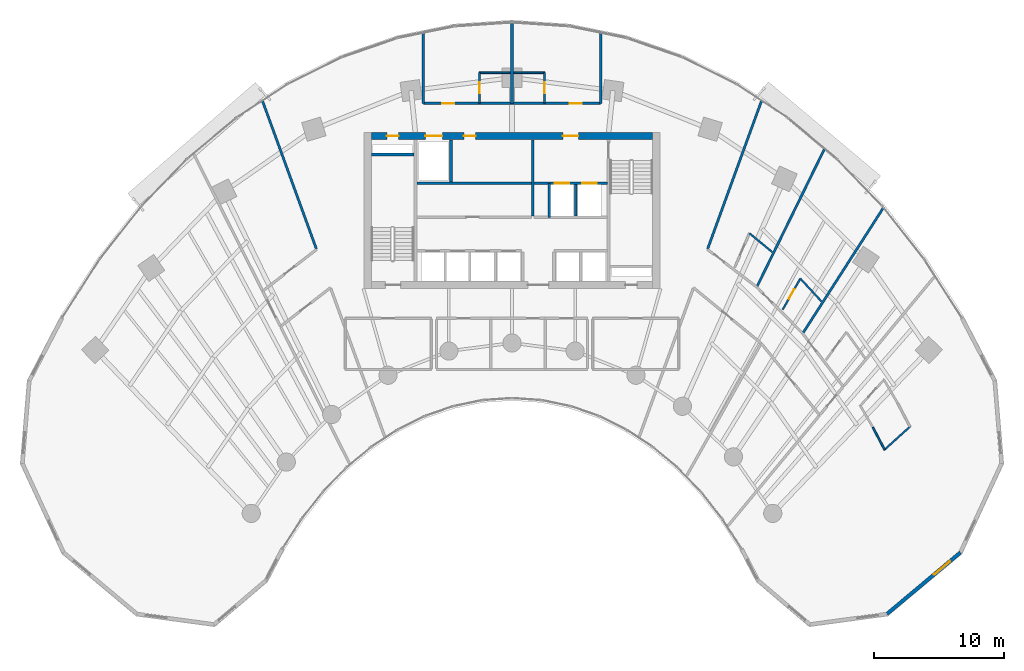
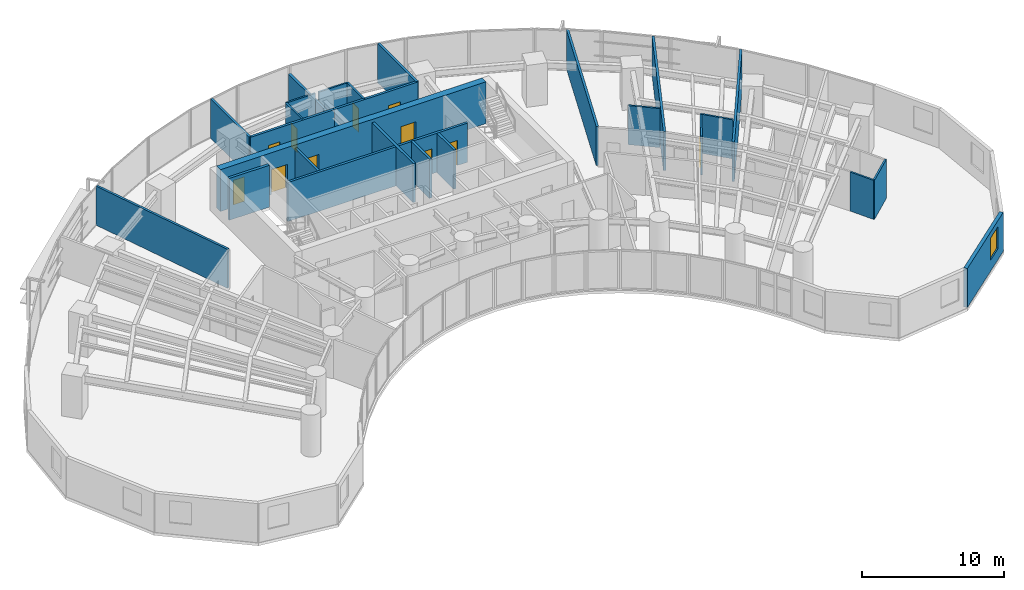
# One storey, part 13 of 17: 27 walls, 11 doors, 1 window, 12 openings.
"""IFC4 building model written with IfcOpenShell, lengths in metres."""

from ifc_helpers import new_model, si_unit, direction, frame, frame_2d, origin, place, context, subcontext, project, spatial, rectangle, extrude, source, transform, mapped, material, layer, layer_set, type_object, type_shapes, element, fill, save


model = new_model("IFC4")

# Units and contexts
model_context = context("Model", 3, precision=1e-05, world=origin(), true_north=direction((0.0, 1.0)))
body_context = subcontext(model_context, "Body", "Model", "MODEL_VIEW")
ifc_project = project(units=[si_unit("LENGTHUNIT", "METRE"), si_unit("AREAUNIT", "SQUARE_METRE"), si_unit("VOLUMEUNIT", "CUBIC_METRE"), si_unit("PLANEANGLEUNIT", "RADIAN"), si_unit("MASSUNIT", "GRAM", prefix="KILO")], contexts=[model_context])

# Site, building, storey
site_placement = place(None, origin())
site = spatial("IfcSite", under=ifc_project, at=site_placement, CompositionType="ELEMENT")
building_placement = place(site_placement, origin())
building = spatial("IfcBuilding", under=site, at=building_placement, Name="Breltana Convention Tower", CompositionType="ELEMENT")
storey_placement = place(building_placement, frame((0.0, 0.0, 64.199951171875)))
storey = spatial("IfcBuildingStorey", under=building, at=storey_placement, Name="L14", CompositionType="ELEMENT", Elevation=64.199951171875)

# Wall, openings, doors
ifc_material_1 = material(Name="Concrete C60/75", Category="concrete")
ifc_layer_1 = layer(ifc_material_1, 0.550048828125, Name="Concrete C60/75")
ifc_layer_set_1 = layer_set([ifc_layer_1], Name="Concrete C60/75")
wall_type_1 = type_object("IfcWallType", Name="SW-CORE-550", PredefinedType="SHEAR", material=ifc_layer_set_1)
shared_shape_1 = source(origin(), body_context, "Body", "SweptSolid", [
    extrude(rectangle(XDim=21.60009765625, YDim=0.550048828125, at=frame_2d((10.800048828125, 0.0))), origin(), (0.0, 0.0, 1.0), 3.60009765625),
])
wall_1_placement = place(storey_placement, frame((37.199951171875, 71.925048828125, 0.0), z_axis=(0.0, 0.0, 1.0), x_axis=(1.0, 0.0, 0.0)))
wall_1 = element("IfcWall", 1, at=wall_1_placement, inside=storey, type_object=wall_type_1, Name="L14 North Core Shear Wall", PredefinedType="SHEAR", context=body_context, shape_type="MappedRepresentation", body=[
    mapped(shared_shape_1, transform((0.0, 0.0, 0.0), scale=1.0)),
])
opening_1_placement = place(wall_1_placement, frame((1.199951171875, 0.0, 0.0)))
opening_1 = element("IfcOpeningElement", 2, at=opening_1_placement, cuts=wall_1, Name="Opening D-18", PredefinedType="OPENING", context=body_context, shape_type="SweptSolid", body=[
    extrude(rectangle(XDim=0.89990234375, YDim=2.10009765625, at=frame_2d((0.449951171875, 1.050048828125))), frame((0.0, 0.28515625, 0.0), z_axis=(0.0, -1.0, 0.0), x_axis=(1.0, 0.0, 0.0)), (0.0, 0.0, 1.0), 0.570068359375),
])
opening_2_placement = place(wall_1_placement, frame((14.699951171875, 0.0, 0.0)))
opening_2 = element("IfcOpeningElement", 3, at=opening_2_placement, cuts=wall_1, Name="Opening D-09", PredefinedType="OPENING", context=body_context, shape_type="SweptSolid", body=[
    extrude(rectangle(XDim=1.199951171875, YDim=2.14990234375, at=frame_2d((0.60009765625, 1.074951171875))), frame((0.0, 0.28515625, 0.0), z_axis=(0.0, -1.0, 0.0), x_axis=(1.0, 0.0, 0.0)), (0.0, 0.0, 1.0), 0.570068359375),
])
opening_3_placement = place(wall_1_placement, frame((4.14990234375, 0.0, 0.0)))
opening_3 = element("IfcOpeningElement", 4, at=opening_3_placement, cuts=wall_1, Name="Opening LD-01", PredefinedType="OPENING", context=body_context, shape_type="SweptSolid", body=[
    extrude(rectangle(XDim=1.300048828125, YDim=2.14990234375, at=frame_2d((0.64990234375, 1.074951171875))), frame((0.0, 0.28515625, 0.0), z_axis=(0.0, -1.0, 0.0), x_axis=(1.0, 0.0, 0.0)), (0.0, 0.0, 1.0), 0.570068359375),
])
opening_4_placement = place(wall_1_placement, frame((7.10009765625, 0.0, 0.0)))
opening_4 = element("IfcOpeningElement", 5, at=opening_4_placement, cuts=wall_1, Name="Opening D-18", PredefinedType="OPENING", context=body_context, shape_type="SweptSolid", body=[
    extrude(rectangle(XDim=0.89990234375, YDim=2.10009765625, at=frame_2d((0.449951171875, 1.050048828125))), frame((0.0, 0.28515625, 0.0), z_axis=(0.0, -1.0, 0.0), x_axis=(1.0, 0.0, 0.0)), (0.0, 0.0, 1.0), 0.570068359375),
])
ifc_material_2 = material(Name="Steel Riser Fire Door", Category="steel")
door_type_1 = type_object("IfcDoorType", Name="DR-FD60-900", OperationType="NOTDEFINED", PredefinedType="DOOR", material=ifc_material_2)
shared_shape_2 = source(origin(), body_context, "Body", "SweptSolid", [
    extrude(rectangle(XDim=0.89990234375, YDim=2.10009765625, at=frame_2d((0.449951171875, 1.050048828125))), frame((0.0, 0.02490234375, 0.0), z_axis=(0.0, -1.0, 0.0), x_axis=(1.0, 0.0, 0.0)), (0.0, 0.0, 1.0), 0.050048828125),
])
type_shapes(door_type_1, [shared_shape_2])
door_1_placement = place(opening_1_placement, origin())
door_1 = element("IfcDoor", 6, at=door_1_placement, inside=storey, type_object=door_type_1, Name="L14 Core Riser Access Door D-L14-RS1", OperationType="SINGLE_SWING_LEFT", OverallHeight=2.10009765625, OverallWidth=0.89990234375, PredefinedType="DOOR", context=body_context, shape_type="MappedRepresentation", body=[
    mapped(shared_shape_2, transform((0.0, 0.0, 0.0), scale=1.0)),
])
fill(opening_1, door_1)
door_2_placement = place(opening_4_placement, origin())
door_2 = element("IfcDoor", 7, at=door_2_placement, inside=storey, type_object=door_type_1, Name="L14 interior door D-L14-CRA1", OperationType="SINGLE_SWING_RIGHT", OverallHeight=2.10009765625, OverallWidth=0.89990234375, PredefinedType="DOOR", context=body_context, shape_type="MappedRepresentation", body=[
    mapped(shared_shape_2, transform((0.0, 0.0, 0.0), scale=1.0)),
])
fill(opening_4, door_2)
ifc_material_3 = material(Name="Steel Fire Lobby Door", Category="steel")
door_type_2 = type_object("IfcDoorType", Name="DR-FD120-1200", OperationType="NOTDEFINED", PredefinedType="DOOR", material=ifc_material_3)
shared_shape_3 = source(origin(), body_context, "Body", "SweptSolid", [
    extrude(rectangle(XDim=1.199951171875, YDim=2.14990234375, at=frame_2d((0.60009765625, 1.074951171875))), frame((0.0, 0.02490234375, 0.0), z_axis=(0.0, -1.0, 0.0), x_axis=(1.0, 0.0, 0.0)), (0.0, 0.0, 1.0), 0.050048828125),
])
type_shapes(door_type_2, [shared_shape_3])
door_3_placement = place(opening_2_placement, origin())
door_3 = element("IfcDoor", 8, at=door_3_placement, inside=storey, type_object=door_type_2, Name="L14 interior door D-L14-FFL-N", OperationType="SINGLE_SWING_RIGHT", OverallHeight=2.14990234375, OverallWidth=1.199951171875, PredefinedType="DOOR", context=body_context, shape_type="MappedRepresentation", body=[
    mapped(shared_shape_3, transform((0.0, 0.0, 0.0), scale=1.0)),
])
fill(opening_2, door_3)
ifc_material_4 = material(Name="Stainless Steel Brushed", Category="steel")
door_type_3 = type_object("IfcDoorType", Name="DR-LD-SRV-1300", OperationType="DOUBLE_DOOR_SLIDING", PredefinedType="DOOR", material=ifc_material_4)
shared_shape_4 = source(origin(), body_context, "Body", "SweptSolid", [
    extrude(rectangle(XDim=1.300048828125, YDim=2.14990234375, at=frame_2d((0.64990234375, 1.074951171875))), frame((0.0, 0.02490234375, 0.0), z_axis=(0.0, -1.0, 0.0), x_axis=(1.0, 0.0, 0.0)), (0.0, 0.0, 1.0), 0.050048828125),
])
type_shapes(door_type_3, [shared_shape_4])
door_4_placement = place(opening_3_placement, origin())
door_4 = element("IfcDoor", 9, at=door_4_placement, inside=storey, type_object=door_type_3, Name="L14 Lift Landing Door D-L14-LD-SV1", OperationType="DOUBLE_DOOR_SLIDING", OverallHeight=2.14990234375, OverallWidth=1.300048828125, PredefinedType="DOOR", context=body_context, shape_type="MappedRepresentation", body=[
    mapped(shared_shape_4, transform((0.0, 0.0, 0.0), scale=1.0)),
])
fill(opening_3, door_4)

# Wall
ifc_material_5 = material(Name="Concrete C50/60", Category="concrete")
ifc_layer_2 = layer(ifc_material_5, 0.39990234375, Name="Concrete C50/60")
ifc_layer_set_2 = layer_set([ifc_layer_2], Name="Concrete C50/60")
wall_type_2 = type_object("IfcWallType", Name="SW-CORE-400", PredefinedType="SHEAR", material=ifc_layer_set_2)
shared_shape_5 = source(origin(), body_context, "Body", "SweptSolid", [
    extrude(rectangle(XDim=3.27001953125, YDim=0.219970703125, at=frame_2d((1.635009765625, 0.0))), origin(), (0.0, 0.0, 1.0), 3.60009765625),
])
wall_2_placement = place(storey_placement, frame((37.199951171875, 70.510009765625, 0.0), z_axis=(0.0, 0.0, 1.0), x_axis=(1.0, 0.0, 0.0)))
element("IfcWall", 10, at=wall_2_placement, inside=storey, type_object=wall_type_2, Name="L14 ST-1 Stairwell North Bearing Wall", PredefinedType="SHEAR", context=body_context, shape_type="MappedRepresentation", body=[
    mapped(shared_shape_5, transform((0.0, 0.0, 0.0), scale=1.0)),
])

# Wall, opening, window
ifc_material_6 = material(Name="Limestone Buff Insulated Wall", Category="masonry")
ifc_layer_3 = layer(ifc_material_6, 0.280029296875, Name="Limestone Buff Insulated Wall")
ifc_layer_set_3 = layer_set([ifc_layer_3], Name="Limestone Buff Insulated Wall")
wall_type_3 = type_object("IfcWallType", Name="WL-EXT-NOSE-280", PredefinedType="SOLIDWALL", material=ifc_layer_set_3)
shared_shape_6 = source(origin(), body_context, "Body", "SweptSolid", [
    extrude(rectangle(XDim=7.35888671875, YDim=0.280029296875, at=frame_2d((3.679443359375, 0.0))), origin(), (0.0, 0.0, 1.0), 3.360107421875),
])
wall_3_placement = place(storey_placement, frame((82.419677734375, 39.950927734375, 0.0), z_axis=(0.0, 0.0, 1.0), x_axis=(-0.766737165543, -0.641961150675, 0.0)))
wall_3 = element("IfcWall", 11, at=wall_3_placement, inside=storey, type_object=wall_type_3, Name="L14 curved limestone nose wall E3", PredefinedType="SOLIDWALL", context=body_context, shape_type="MappedRepresentation", body=[
    mapped(shared_shape_6, transform((0.0, 0.0, 0.0), scale=1.0)),
])
opening_5_placement = place(wall_3_placement, frame((1.039794921875, 0.0, 0.949951171875)))
opening_5 = element("IfcOpeningElement", 12, at=opening_5_placement, cuts=wall_3, Name="Opening W-04", PredefinedType="OPENING", context=body_context, shape_type="SweptSolid", body=[
    extrude(rectangle(XDim=1.60009765625, YDim=1.89990234375, at=frame_2d((0.800048828125, 0.949951171875))), frame((0.0, 0.14990234375, 0.0), z_axis=(0.0, -1.0, 0.0), x_axis=(1.0, 0.0, 0.0)), (0.0, 0.0, 1.0), 0.300048828125),
])
ifc_material_7 = material(Name="Glass Low-E Insulated Window", Category="glass")
window_type = type_object("IfcWindowType", Name="WN-NOSE-1600X1900", PartitioningType="SINGLE_PANEL", PredefinedType="WINDOW", material=ifc_material_7)
shared_shape_7 = source(origin(), body_context, "Body", "SweptSolid", [
    extrude(rectangle(XDim=1.60009765625, YDim=1.89990234375, at=frame_2d((0.800048828125, 0.949951171875))), frame((0.0, 0.030029296875, 0.0), z_axis=(0.0, -1.0, 0.0), x_axis=(1.0, 0.0, 0.0)), (0.0, 0.0, 1.0), 0.06005859375),
])
type_shapes(window_type, [shared_shape_7])
window_placement = place(opening_5_placement, origin())
window = element("IfcWindow", 13, at=window_placement, inside=storey, type_object=window_type, Name="L14 nose window E3", OverallHeight=1.89990234375, OverallWidth=1.60009765625, PartitioningType="SINGLE_PANEL", PredefinedType="WINDOW", context=body_context, shape_type="MappedRepresentation", body=[
    mapped(shared_shape_7, transform((0.0, 0.0, 0.0), scale=1.0)),
])
fill(opening_5, window)

# Wall, openings, doors
ifc_material_8 = material(Name="Autoclaved Aerated Concrete Block", Category="concrete")
ifc_layer_4 = layer(ifc_material_8, 0.199951171875, Name="Autoclaved Aerated Concrete Block")
ifc_layer_set_4 = layer_set([ifc_layer_4], Name="Autoclaved Aerated Concrete Block")
wall_type_4 = type_object("IfcWallType", Name="WL-SHAFT-200", PredefinedType="SOLIDWALL", material=ifc_layer_set_4)
shared_shape_8 = source(origin(), body_context, "Body", "SweptSolid", [
    extrude(rectangle(XDim=5.6201171875, YDim=0.199951171875, at=frame_2d((2.81005859375, 0.0))), origin(), (0.0, 0.0, 1.0), 3.360107421875),
])
wall_4_placement = place(storey_placement, frame((49.699951171875, 68.300048828125, 0.0), z_axis=(0.0, 0.0, 1.0), x_axis=(1.0, 0.0, 0.0)))
wall_4 = element("IfcWall", 14, at=wall_4_placement, inside=storey, type_object=wall_type_4, Name="L14 interior partition W-L14-FFL-S", PredefinedType="SOLIDWALL", context=body_context, shape_type="MappedRepresentation", body=[
    mapped(shared_shape_8, transform((0.0, 0.0, 0.0), scale=1.0)),
])
opening_6_placement = place(wall_4_placement, frame((1.60009765625, 0.0, 0.0)))
opening_6 = element("IfcOpeningElement", 15, at=opening_6_placement, cuts=wall_4, Name="Opening LD-03", PredefinedType="OPENING", context=body_context, shape_type="SweptSolid", body=[
    extrude(rectangle(XDim=1.10009765625, YDim=2.14990234375, at=frame_2d((0.550048828125, 1.074951171875))), frame((0.0, 0.10986328125, 0.0), z_axis=(0.0, -1.0, 0.0), x_axis=(1.0, 0.0, 0.0)), (0.0, 0.0, 1.0), 0.219970703125),
])
opening_7_placement = place(wall_4_placement, frame((3.699951171875, 0.0, 0.0)))
opening_7 = element("IfcOpeningElement", 16, at=opening_7_placement, cuts=wall_4, Name="Opening LD-03", PredefinedType="OPENING", context=body_context, shape_type="SweptSolid", body=[
    extrude(rectangle(XDim=1.10009765625, YDim=2.14990234375, at=frame_2d((0.550048828125, 1.074951171875))), frame((0.0, 0.10986328125, 0.0), z_axis=(0.0, -1.0, 0.0), x_axis=(1.0, 0.0, 0.0)), (0.0, 0.0, 1.0), 0.219970703125),
])
door_type_4 = type_object("IfcDoorType", Name="DR-LD-FF-1100", OperationType="DOUBLE_DOOR_SLIDING", PredefinedType="DOOR", material=ifc_material_4)
shared_shape_9 = source(origin(), body_context, "Body", "SweptSolid", [
    extrude(rectangle(XDim=1.10009765625, YDim=2.14990234375, at=frame_2d((0.550048828125, 1.074951171875))), frame((0.0, 0.02490234375, 0.0), z_axis=(0.0, -1.0, 0.0), x_axis=(1.0, 0.0, 0.0)), (0.0, 0.0, 1.0), 0.050048828125),
])
type_shapes(door_type_4, [shared_shape_9])
door_5_placement = place(opening_6_placement, origin())
door_5 = element("IfcDoor", 17, at=door_5_placement, inside=storey, type_object=door_type_4, Name="L14 Lift Landing Door D-L14-LD-FL1", OperationType="DOUBLE_DOOR_SLIDING", OverallHeight=2.14990234375, OverallWidth=1.10009765625, PredefinedType="DOOR", context=body_context, shape_type="MappedRepresentation", body=[
    mapped(shared_shape_9, transform((0.0, 0.0, 0.0), scale=1.0)),
])
fill(opening_6, door_5)
door_6_placement = place(opening_7_placement, origin())
door_6 = element("IfcDoor", 18, at=door_6_placement, inside=storey, type_object=door_type_4, Name="L14 Lift Landing Door D-L14-LD-FL2", OperationType="DOUBLE_DOOR_SLIDING", OverallHeight=2.14990234375, OverallWidth=1.10009765625, PredefinedType="DOOR", context=body_context, shape_type="MappedRepresentation", body=[
    mapped(shared_shape_9, transform((0.0, 0.0, 0.0), scale=1.0)),
])
fill(opening_7, door_6)

# Walls
shared_shape_10 = source(origin(), body_context, "Body", "SweptSolid", [
    extrude(rectangle(XDim=5.800048828125, YDim=0.199951171875, at=frame_2d((2.89990234375, 0.0))), origin(), (0.0, 0.0, 1.0), 3.360107421875),
])
wall_5_placement = place(storey_placement, frame((49.60009765625, 65.800048828125, 0.0), z_axis=(0.0, 0.0, 1.0), x_axis=(0.0, 1.0, 0.0)))
element("IfcWall", 19, at=wall_5_placement, inside=storey, type_object=wall_type_4, Name="L14 interior partition W-L14-FFL-W", PredefinedType="SOLIDWALL", context=body_context, shape_type="MappedRepresentation", body=[
    mapped(shared_shape_10, transform((0.0, 0.0, 0.0), scale=1.0)),
])
shared_shape_11 = source(origin(), body_context, "Body", "SweptSolid", [
    extrude(rectangle(XDim=2.580078125, YDim=0.199951171875, at=frame_2d((1.2900390625, 0.0))), origin(), (0.0, 0.0, 1.0), 3.360107421875),
])
wall_6_placement = place(storey_placement, frame((50.85009765625, 65.679931640625, 0.0), z_axis=(0.0, 0.0, 1.0), x_axis=(0.0, 1.0, 0.0)))
element("IfcWall", 20, at=wall_6_placement, inside=storey, type_object=wall_type_4, Name="L14 interior partition W-L14-FL-W", PredefinedType="SOLIDWALL", context=body_context, shape_type="MappedRepresentation", body=[
    mapped(shared_shape_11, transform((0.0, 0.0, 0.0), scale=1.0)),
])
shared_shape_12 = source(origin(), body_context, "Body", "SweptSolid", [
    extrude(rectangle(XDim=2.39990234375, YDim=0.199951171875, at=frame_2d((1.199951171875, 0.0))), origin(), (0.0, 0.0, 1.0), 3.360107421875),
])
wall_7_placement = place(storey_placement, frame((52.89990234375, 65.800048828125, 0.0), z_axis=(0.0, 0.0, 1.0), x_axis=(0.0, 1.0, 0.0)))
element("IfcWall", 21, at=wall_7_placement, inside=storey, type_object=wall_type_4, Name="L14 interior partition W-L14-FL-DIV", PredefinedType="SOLIDWALL", context=body_context, shape_type="MappedRepresentation", body=[
    mapped(shared_shape_12, transform((0.0, 0.0, 0.0), scale=1.0)),
])
shared_shape_13 = source(origin(), body_context, "Body", "SweptSolid", [
    extrude(rectangle(XDim=3.2001953125, YDim=0.199951171875, at=frame_2d((1.60009765625, 0.0))), origin(), (0.0, 0.0, 1.0), 3.360107421875),
])
wall_8_placement = place(storey_placement, frame((43.320068359375, 68.39990234375, 0.0), z_axis=(0.0, 0.0, 1.0), x_axis=(0.0, 1.0, 0.0)))
element("IfcWall", 22, at=wall_8_placement, inside=storey, type_object=wall_type_4, Name="L14 interior partition W-L14-SV-E", PredefinedType="SOLIDWALL", context=body_context, shape_type="MappedRepresentation", body=[
    mapped(shared_shape_13, transform((0.0, 0.0, 0.0), scale=1.0)),
])
shared_shape_14 = source(origin(), body_context, "Body", "SweptSolid", [
    extrude(rectangle(XDim=8.800048828125, YDim=0.199951171875, at=frame_2d((4.39990234375, 0.0))), origin(), (0.0, 0.0, 1.0), 3.360107421875),
])
wall_9_placement = place(storey_placement, frame((40.699951171875, 68.300048828125, 0.0), z_axis=(0.0, 0.0, 1.0), x_axis=(1.0, 0.0, 0.0)))
element("IfcWall", 23, at=wall_9_placement, inside=storey, type_object=wall_type_4, Name="L14 interior partition W-L14-SV-S", PredefinedType="SOLIDWALL", context=body_context, shape_type="MappedRepresentation", body=[
    mapped(shared_shape_14, transform((0.0, 0.0, 0.0), scale=1.0)),
])

# Wall, opening, door
ifc_material_9 = material(Name="Gypsum Acoustic Hotel Wall")
ifc_layer_5 = layer(ifc_material_9, 0.195068359375, Name="Gypsum Acoustic Hotel Wall")
ifc_layer_set_5 = layer_set([ifc_layer_5], Name="Gypsum Acoustic Hotel Wall")
wall_type_5 = type_object("IfcWallType", Name="WL-HOTEL-200", PredefinedType="PARTITIONING", material=ifc_layer_set_5)
shared_shape_15 = source(origin(), body_context, "Body", "SweptSolid", [
    extrude(rectangle(XDim=6.800048828125, YDim=0.195068359375, at=frame_2d((3.39990234375, 0.0))), origin(), (0.0, 0.0, 1.0), 3.360107421875),
])
type_shapes(wall_type_5, [shared_shape_15])
wall_10_placement = place(storey_placement, frame((41.199951171875, 74.419921875, 0.0), z_axis=(0.0, 0.0, 1.0), x_axis=(1.0, 0.0, 0.0)))
wall_10 = element("IfcWall", 24, at=wall_10_placement, inside=storey, type_object=wall_type_5, Name="L14 interior partition W-L14-GRN1-S", PredefinedType="PARTITIONING", context=body_context, shape_type="MappedRepresentation", body=[
    mapped(shared_shape_15, transform((0.0, 0.0, 0.0), scale=1.0)),
])
opening_8_placement = place(wall_10_placement, frame((1.428955078125, 0.0, 0.0)))
opening_8 = element("IfcOpeningElement", 25, at=opening_8_placement, cuts=wall_10, Name="Opening D-14", PredefinedType="OPENING", context=body_context, shape_type="SweptSolid", body=[
    extrude(rectangle(XDim=0.949951171875, YDim=2.14990234375, at=frame_2d((0.47509765625, 1.074951171875))), frame((0.0, 0.107421875, 0.0), z_axis=(0.0, -1.0, 0.0), x_axis=(1.0, 0.0, 0.0)), (0.0, 0.0, 1.0), 0.215087890625),
])
ifc_material_10 = material(Name="Timber Solid-Core Fire Door", Category="wood")
door_type_5 = type_object("IfcDoorType", Name="DR-FD60-950", OperationType="NOTDEFINED", PredefinedType="DOOR", material=ifc_material_10)
shared_shape_16 = source(origin(), body_context, "Body", "SweptSolid", [
    extrude(rectangle(XDim=0.949951171875, YDim=2.14990234375, at=frame_2d((0.47509765625, 1.074951171875))), frame((0.0, 0.02490234375, 0.0), z_axis=(0.0, -1.0, 0.0), x_axis=(1.0, 0.0, 0.0)), (0.0, 0.0, 1.0), 0.050048828125),
])
type_shapes(door_type_5, [shared_shape_16])
door_7_placement = place(opening_8_placement, origin())
door_7 = element("IfcDoor", 26, at=door_7_placement, inside=storey, type_object=door_type_5, Name="L14 interior door D-L14-GRN1", OperationType="SINGLE_SWING_LEFT", OverallHeight=2.14990234375, OverallWidth=0.949951171875, PredefinedType="DOOR", context=body_context, shape_type="MappedRepresentation", body=[
    mapped(shared_shape_16, transform((0.0, 0.0, 0.0), scale=1.0)),
])
fill(opening_8, door_7)

wall_11_placement = place(storey_placement, frame((48.0, 74.419921875, 0.0), z_axis=(0.0, 0.0, 1.0), x_axis=(1.0, 0.0, 0.0)))
wall_11 = element("IfcWall", 27, at=wall_11_placement, inside=storey, type_object=wall_type_5, Name="L14 interior partition W-L14-GRN2-S", PredefinedType="PARTITIONING", context=body_context, shape_type="MappedRepresentation", body=[
    mapped(shared_shape_15, transform((0.0, 0.0, 0.0), scale=1.0)),
])
opening_9_placement = place(wall_11_placement, frame((4.4208984375, 0.0, 0.0)))
opening_9 = element("IfcOpeningElement", 28, at=opening_9_placement, cuts=wall_11, Name="Opening D-14", PredefinedType="OPENING", context=body_context, shape_type="SweptSolid", body=[
    extrude(rectangle(XDim=0.949951171875, YDim=2.14990234375, at=frame_2d((0.47509765625, 1.074951171875))), frame((0.0, 0.107421875, 0.0), z_axis=(0.0, -1.0, 0.0), x_axis=(1.0, 0.0, 0.0)), (0.0, 0.0, 1.0), 0.215087890625),
])
door_8_placement = place(opening_9_placement, origin())
door_8 = element("IfcDoor", 29, at=door_8_placement, inside=storey, type_object=door_type_5, Name="L14 interior door D-L14-GRN2", OperationType="SINGLE_SWING_LEFT", OverallHeight=2.14990234375, OverallWidth=0.949951171875, PredefinedType="DOOR", context=body_context, shape_type="MappedRepresentation", body=[
    mapped(shared_shape_16, transform((0.0, 0.0, 0.0), scale=1.0)),
])
fill(opening_9, door_8)

# Walls
shared_shape_17 = source(origin(), body_context, "Body", "SweptSolid", [
    extrude(rectangle(XDim=6.215576171875, YDim=0.195068359375, at=frame_2d((3.10791015625, 0.0))), origin(), (0.0, 0.0, 1.0), 2.64404296875),
])
wall_12_placement = place(storey_placement, frame((48.0, 74.419921875, 0.0), z_axis=(0.0, 0.0, 1.0), x_axis=(0.0, 1.0, 0.0)))
element("IfcWall", 30, at=wall_12_placement, inside=storey, type_object=wall_type_5, Name="L14 interior partition W-L14-GRN-MID", PredefinedType="PARTITIONING", context=body_context, shape_type="MappedRepresentation", body=[
    mapped(shared_shape_17, transform((0.0, 0.0, 0.0), scale=1.0)),
])
shared_shape_18 = source(origin(), body_context, "Body", "SweptSolid", [
    extrude(rectangle(XDim=5.42626953125, YDim=0.195068359375, at=frame_2d((2.713134765625, 0.0))), origin(), (0.0, 0.0, 1.0), 3.360107421875),
])
for number, where, z_axis, x_axis, name in (
    (31, (41.199951171875, 74.419921875, 0.0), (0.0, 0.0, 1.0), (0.0, 1.0, 0.0), "L14 interior partition W-L14-GRN1-SD"),
    (32, (54.800048828125, 74.419921875, 0.0), (0.0, 0.0, 1.0), (0.0, 1.0, 0.0), "L14 interior partition W-L14-GRN2-SD"),
):
    element("IfcWall", number, at=place(storey_placement, frame(where, z_axis=z_axis, x_axis=x_axis)), inside=storey, type_object=wall_type_5, Name=name, PredefinedType="PARTITIONING", context=body_context, shape_type="MappedRepresentation", body=[
        mapped(shared_shape_18, transform((0.0, 0.0, 0.0), scale=1.0)),
    ])
ifc_material_11 = material(Name="Moisture-Resistant En-Suite Partition")
ifc_layer_6 = layer(ifc_material_11, 0.139892578125, Name="Moisture-Resistant En-Suite Partition")
ifc_layer_set_6 = layer_set([ifc_layer_6], Name="Moisture-Resistant En-Suite Partition")
wall_type_6 = type_object("IfcWallType", Name="WL-WET-150", PredefinedType="PARTITIONING", material=ifc_layer_set_6)
shared_shape_19 = source(origin(), body_context, "Body", "SweptSolid", [
    extrude(rectangle(XDim=2.35009765625, YDim=0.139892578125, at=frame_2d((1.175048828125, 0.0))), origin(), (0.0, 0.0, 1.0), 3.360107421875),
])
type_shapes(wall_type_6, [shared_shape_19])
for number, where, z_axis, x_axis, name in (
    (33, (45.5, 76.780029296875, 0.0), (0.0, 0.0, 1.0), (1.0, 0.0, 0.0), "L14 interior partition W-L14-ENSN1-N"),
    (34, (48.14990234375, 76.780029296875, 0.0), (0.0, 0.0, 1.0), (1.0, 0.0, 0.0), "L14 interior partition W-L14-ENSN2-N"),
):
    element("IfcWall", number, at=place(storey_placement, frame(where, z_axis=z_axis, x_axis=x_axis)), inside=storey, type_object=wall_type_6, Name=name, PredefinedType="PARTITIONING", context=body_context, shape_type="MappedRepresentation", body=[
        mapped(shared_shape_19, transform((0.0, 0.0, 0.0), scale=1.0)),
    ])

# Wall, opening, door
shared_shape_20 = source(origin(), body_context, "Body", "SweptSolid", [
    extrude(rectangle(XDim=2.330078125, YDim=0.139892578125, at=frame_2d((1.1650390625, 0.0))), origin(), (0.0, 0.0, 1.0), 3.360107421875),
])
wall_13_placement = place(storey_placement, frame((45.5, 74.449951171875, 0.0), z_axis=(0.0, 0.0, 1.0), x_axis=(0.0, 1.0, 0.0)))
wall_13 = element("IfcWall", 35, at=wall_13_placement, inside=storey, type_object=wall_type_6, Name="L14 interior partition W-L14-ENSN1-SD", PredefinedType="PARTITIONING", context=body_context, shape_type="MappedRepresentation", body=[
    mapped(shared_shape_20, transform((0.0, 0.0, 0.0), scale=1.0)),
])
opening_10_placement = place(wall_13_placement, frame((0.739990234375, 0.0, 0.0)))
opening_10 = element("IfcOpeningElement", 36, at=opening_10_placement, cuts=wall_13, Name="Opening D-21", PredefinedType="OPENING", context=body_context, shape_type="SweptSolid", body=[
    extrude(rectangle(XDim=0.85009765625, YDim=2.050048828125, at=frame_2d((0.425048828125, 1.02490234375))), frame((0.0, 0.080078125, 0.0), z_axis=(0.0, -1.0, 0.0), x_axis=(1.0, 0.0, 0.0)), (0.0, 0.0, 1.0), 0.159912109375),
])
ifc_material_12 = material(Name="Timber Moisture-Resistant En-Suite Door", Category="wood")
door_type_6 = type_object("IfcDoorType", Name="DR-WET-850", OperationType="NOTDEFINED", PredefinedType="DOOR", material=ifc_material_12)
shared_shape_21 = source(origin(), body_context, "Body", "SweptSolid", [
    extrude(rectangle(XDim=0.85009765625, YDim=2.050048828125, at=frame_2d((0.425048828125, 1.02490234375))), frame((0.0, 0.02490234375, 0.0), z_axis=(0.0, -1.0, 0.0), x_axis=(1.0, 0.0, 0.0)), (0.0, 0.0, 1.0), 0.050048828125),
])
type_shapes(door_type_6, [shared_shape_21])
door_9_placement = place(opening_10_placement, origin())
door_9 = element("IfcDoor", 37, at=door_9_placement, inside=storey, type_object=door_type_6, Name="L14 interior door D-L14-ENSN1", OperationType="SINGLE_SWING_RIGHT", OverallHeight=2.050048828125, OverallWidth=0.85009765625, PredefinedType="DOOR", context=body_context, shape_type="MappedRepresentation", body=[
    mapped(shared_shape_21, transform((0.0, 0.0, 0.0), scale=1.0)),
])
fill(opening_10, door_9)

wall_14_placement = place(storey_placement, frame((50.5, 74.449951171875, 0.0), z_axis=(0.0, 0.0, 1.0), x_axis=(0.0, 1.0, 0.0)))
wall_14 = element("IfcWall", 38, at=wall_14_placement, inside=storey, type_object=wall_type_6, Name="L14 interior partition W-L14-ENSN2-SD", PredefinedType="PARTITIONING", context=body_context, shape_type="MappedRepresentation", body=[
    mapped(shared_shape_20, transform((0.0, 0.0, 0.0), scale=1.0)),
])
opening_11_placement = place(wall_14_placement, frame((0.739990234375, 0.0, 0.0)))
opening_11 = element("IfcOpeningElement", 39, at=opening_11_placement, cuts=wall_14, Name="Opening D-21", PredefinedType="OPENING", context=body_context, shape_type="SweptSolid", body=[
    extrude(rectangle(XDim=0.85009765625, YDim=2.050048828125, at=frame_2d((0.425048828125, 1.02490234375))), frame((0.0, 0.080078125, 0.0), z_axis=(0.0, -1.0, 0.0), x_axis=(1.0, 0.0, 0.0)), (0.0, 0.0, 1.0), 0.159912109375),
])
door_10_placement = place(opening_11_placement, origin())
door_10 = element("IfcDoor", 40, at=door_10_placement, inside=storey, type_object=door_type_6, Name="L14 interior door D-L14-ENSN2", OperationType="SINGLE_SWING_RIGHT", OverallHeight=2.050048828125, OverallWidth=0.85009765625, PredefinedType="DOOR", context=body_context, shape_type="MappedRepresentation", body=[
    mapped(shared_shape_21, transform((0.0, 0.0, 0.0), scale=1.0)),
])
fill(opening_11, door_10)

# Walls
shared_shape_22 = source(origin(), body_context, "Body", "SweptSolid", [
    extrude(rectangle(XDim=2.738037109375, YDim=0.139892578125, at=frame_2d((1.369140625, 0.0))), origin(), (0.0, 0.0, 1.0), 3.360107421875),
])
wall_15_placement = place(storey_placement, frame((76.560302734375, 47.81396484375, 0.0), z_axis=(0.0, 0.0, 1.0), x_axis=(0.741873676582, 0.670539669218, 0.0)))
element("IfcWall", 41, at=wall_15_placement, inside=storey, type_object=wall_type_6, Name="L14 interior partition W-L14-CSENS-E-F", PredefinedType="PARTITIONING", context=body_context, shape_type="MappedRepresentation", body=[
    mapped(shared_shape_22, transform((0.0, 0.0, 0.0), scale=1.0)),
])
shared_shape_23 = source(origin(), body_context, "Body", "SweptSolid", [
    extrude(rectangle(XDim=1.936279296875, YDim=0.139892578125, at=frame_2d((0.96826171875, 0.0))), origin(), (0.0, 0.0, 1.0), 3.360107421875),
])
wall_16_placement = place(storey_placement, frame((75.697265625, 49.5634765625, 0.0), z_axis=(0.0, 0.0, 1.0), x_axis=(0.467174971862, -0.884164886017, 0.0)))
element("IfcWall", 42, at=wall_16_placement, inside=storey, type_object=wall_type_6, Name="L14 interior partition W-L14-CSENS-E-B1B", PredefinedType="PARTITIONING", context=body_context, shape_type="MappedRepresentation", body=[
    mapped(shared_shape_23, transform((0.0, 0.0, 0.0), scale=1.0)),
])
ifc_material_13 = material(Name="Moisture-Resistant Gypsum Chase Wall")
ifc_layer_7 = layer(ifc_material_13, 0.179931640625, Name="Moisture-Resistant Gypsum Chase Wall")
ifc_layer_set_7 = layer_set([ifc_layer_7], Name="Moisture-Resistant Gypsum Chase Wall")
wall_type_7 = type_object("IfcWallType", Name="WL-PLUMB-180", PredefinedType="PLUMBINGWALL", material=ifc_layer_set_7)
shared_shape_24 = source(origin(), body_context, "Body", "SweptSolid", [
    extrude(rectangle(XDim=12.088134765625, YDim=0.179931640625, at=frame_2d((6.0439453125, 0.0))), origin(), (0.0, 0.0, 1.0), 3.360107421875),
])
for number, where, z_axis, x_axis, name in (
    (43, (32.9814453125, 63.26220703125, 0.0), (0.0, 0.0, 1.0), (-0.34203007529, 0.939689005787, 0.0), "L14 interior partition W-L14-SPAO1-RB"),
    (44, (63.0185546875, 63.26220703125, 0.0), (0.0, 0.0, 1.0), (0.34203007529, 0.939689005787, 0.0), "L14 interior partition W-L14-HE01-RA"),
):
    element("IfcWall", number, at=place(storey_placement, frame(where, z_axis=z_axis, x_axis=x_axis)), inside=storey, type_object=wall_type_7, Name=name, PredefinedType="PLUMBINGWALL", context=body_context, shape_type="MappedRepresentation", body=[
        mapped(shared_shape_24, transform((0.0, 0.0, 0.0), scale=1.0)),
    ])
shared_shape_25 = source(origin(), body_context, "Body", "SweptSolid", [
    extrude(rectangle(XDim=11.774658203125, YDim=0.179931640625, at=frame_2d((5.88720703125, 0.0))), origin(), (0.0, 0.0, 1.0), 3.360107421875),
])
wall_17_placement = place(storey_placement, frame((66.8095703125, 60.37060546875, 0.0), z_axis=(0.0, 0.0, 1.0), x_axis=(0.4401500056, 0.897924257702, 0.0)))
element("IfcWall", 45, at=wall_17_placement, inside=storey, type_object=wall_type_7, Name="L14 interior partition W-L14-HE01-RB", PredefinedType="PLUMBINGWALL", context=body_context, shape_type="MappedRepresentation", body=[
    mapped(shared_shape_25, transform((0.0, 0.0, 0.0), scale=1.0)),
])
shared_shape_26 = source(origin(), body_context, "Body", "SweptSolid", [
    extrude(rectangle(XDim=2.260498046875, YDim=0.139892578125, at=frame_2d((1.13037109375, 0.0))), origin(), (0.0, 0.0, 1.0), 3.360107421875),
])
wall_18_placement = place(storey_placement, frame((66.22412109375, 64.45458984375, 0.0), z_axis=(0.0, 0.0, 1.0), x_axis=(0.772646789219, -0.634836151388, 0.0)))
element("IfcWall", 46, at=wall_18_placement, inside=storey, type_object=wall_type_6, Name="L14 interior partition W-L14-HE01E-BK", PredefinedType="PARTITIONING", context=body_context, shape_type="MappedRepresentation", body=[
    mapped(shared_shape_26, transform((0.0, 0.0, 0.0), scale=1.0)),
])
shared_shape_27 = source(origin(), body_context, "Body", "SweptSolid", [
    extrude(rectangle(XDim=11.431640625, YDim=0.179931640625, at=frame_2d((5.7158203125, 0.0))), origin(), (0.0, 0.0, 1.0), 3.360107421875),
])
wall_19_placement = place(storey_placement, frame((70.3408203125, 56.8046875, 0.0), z_axis=(0.0, 0.0, 1.0), x_axis=(0.540196183124, 0.841539115988, 0.0)))
element("IfcWall", 47, at=wall_19_placement, inside=storey, type_object=wall_type_7, Name="L14 interior partition W-L14-HE02-RB", PredefinedType="PLUMBINGWALL", context=body_context, shape_type="MappedRepresentation", body=[
    mapped(shared_shape_27, transform((0.0, 0.0, 0.0), scale=1.0)),
])
shared_shape_28 = source(origin(), body_context, "Body", "SweptSolid", [
    extrude(rectangle(XDim=2.38037109375, YDim=0.139892578125, at=frame_2d((1.190185546875, 0.0))), origin(), (0.0, 0.0, 1.0), 3.360107421875),
])
wall_20_placement = place(storey_placement, frame((70.130615234375, 60.978515625, 0.0), z_axis=(0.0, 0.0, 1.0), x_axis=(0.679084816758, -0.734059814762, 0.0)))
element("IfcWall", 48, at=wall_20_placement, inside=storey, type_object=wall_type_6, Name="L14 interior partition W-L14-HE02E-BK", PredefinedType="PARTITIONING", context=body_context, shape_type="MappedRepresentation", body=[
    mapped(shared_shape_28, transform((0.0, 0.0, 0.0), scale=1.0)),
])

# Wall, opening, door
shared_shape_29 = source(origin(), body_context, "Body", "SweptSolid", [
    extrude(rectangle(XDim=2.734619140625, YDim=0.139892578125, at=frame_2d((1.3671875, 0.0))), origin(), (0.0, 0.0, 1.0), 3.360107421875),
])
wall_21_placement = place(storey_placement, frame((68.780517578125, 58.600341796875, 0.0), z_axis=(0.0, 0.0, 1.0), x_axis=(0.493694940578, 0.869635156631, 0.0)))
wall_21 = element("IfcWall", 49, at=wall_21_placement, inside=storey, type_object=wall_type_6, Name="L14 interior partition W-L14-HE02E-SD", PredefinedType="PARTITIONING", context=body_context, shape_type="MappedRepresentation", body=[
    mapped(shared_shape_29, transform((0.0, 0.0, 0.0), scale=1.0)),
])
opening_12_placement = place(wall_21_placement, frame((0.9423828125, 0.0, 0.0)))
opening_12 = element("IfcOpeningElement", 50, at=opening_12_placement, cuts=wall_21, Name="Opening D-21", PredefinedType="OPENING", context=body_context, shape_type="SweptSolid", body=[
    extrude(rectangle(XDim=0.85009765625, YDim=2.050048828125, at=frame_2d((0.425048828125, 1.02490234375))), frame((0.0, 0.080078125, 0.0), z_axis=(0.0, -1.0, 0.0), x_axis=(1.0, 0.0, 0.0)), (0.0, 0.0, 1.0), 0.159912109375),
])
door_11_placement = place(opening_12_placement, origin())
door_11 = element("IfcDoor", 51, at=door_11_placement, inside=storey, type_object=door_type_6, Name="L14 interior door D-L14-HE02E", OperationType="SINGLE_SWING_LEFT", OverallHeight=2.050048828125, OverallWidth=0.85009765625, PredefinedType="DOOR", context=body_context, shape_type="MappedRepresentation", body=[
    mapped(shared_shape_21, transform((0.0, 0.0, 0.0), scale=1.0)),
])
fill(opening_12, door_11)

save(model, "model.ifc")
